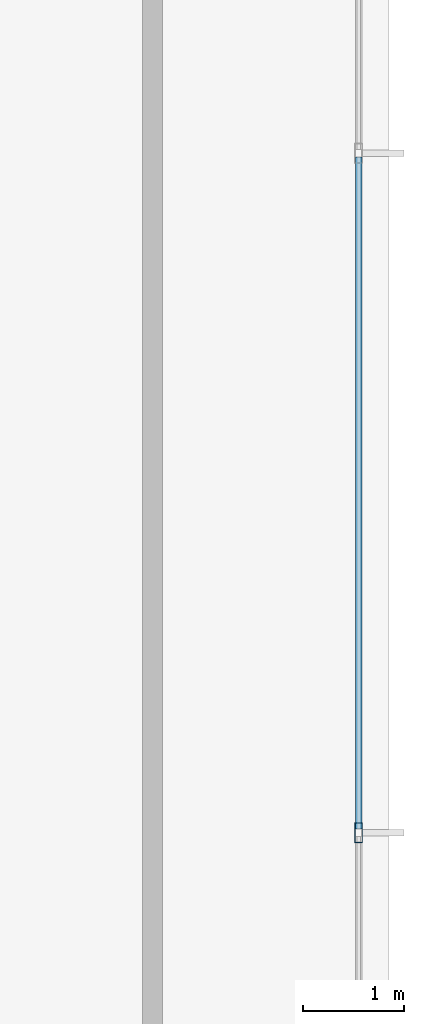
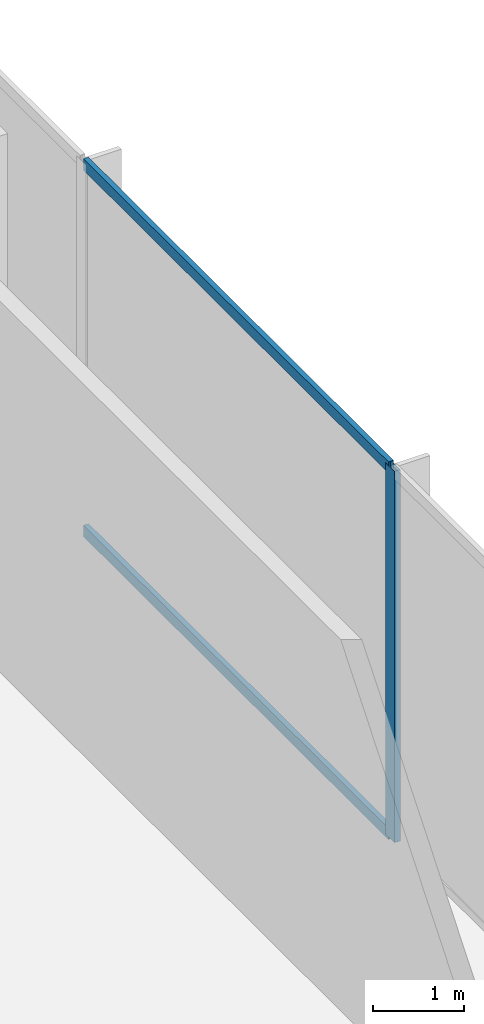
# One storey, part 21 of 43: 3 members, 1 element without a shape of its own.
"""IFC4 building model written with IfcOpenShell, lengths in metres."""

from ifc_helpers import new_model, si_unit, direction, frame, origin, origin_2d, place, context, subcontext, project, spatial, hollow_rectangle, extrude, material, layer, layer_set, material_profile, profile_set, type_object, element, aggregate, save


model = new_model("IFC4")

# Units and contexts
model_context = context("Model", 3, precision=1e-05, world=origin(), true_north=direction((0.0, 1.0)))
body_context = subcontext(model_context, "Body", "Model", "MODEL_VIEW")
ifc_project = project(units=[si_unit("LENGTHUNIT", "METRE"), si_unit("AREAUNIT", "SQUARE_METRE"), si_unit("VOLUMEUNIT", "CUBIC_METRE"), si_unit("PLANEANGLEUNIT", "RADIAN"), si_unit("MASSUNIT", "GRAM", prefix="KILO")], contexts=[model_context])

# Site, building, storey
site_placement = place(None, origin())
site = spatial("IfcSite", under=ifc_project, at=site_placement, CompositionType="ELEMENT")
building_placement = place(site_placement, origin())
building = spatial("IfcBuilding", under=site, at=building_placement, Name="Orvanel Arch Residences", CompositionType="ELEMENT")
storey_placement = place(building_placement, frame((0.0, 0.0, 18.39990234375)))
storey = spatial("IfcBuildingStorey", under=building, at=storey_placement, Name="L04", CompositionType="ELEMENT", Elevation=18.39990234375)

# Curtain wall, members
ifc_material = material(Name="Bronze-anodised aluminium AA6063-T6", Category="aluminium")
ifc_layer = layer(ifc_material, 0.199951171875)
ifc_layer_set = layer_set([ifc_layer], Name="Bronze-anodised aluminium AA6063-T6")
curtain_wall_type = type_object("IfcCurtainWallType", Name="CW1-POD-SYS", PredefinedType="NOTDEFINED", material=ifc_layer_set)
curtain_wall_placement = place(storey_placement, origin())
curtain_wall = element("IfcCurtainWall", 1, at=curtain_wall_placement, inside=storey, type_object=curtain_wall_type, Name="L04 CW1-POD-SYS Unitised Curtain Wall", PredefinedType="NOTDEFINED")
ifc_material_profile_1 = material_profile(ifc_material, hollow_rectangle(XDim=0.074951171875, YDim=0.199951171875, WallThickness=0.0048828125, at=origin_2d()), Name="ALU200x75x5")
ifc_profile_set_1 = profile_set([ifc_material_profile_1], Name="Bronze-anodised aluminium AA6063-T6")
member_type_1 = type_object("IfcMemberType", Name="MUL-200x75", PredefinedType="MULLION", material=ifc_profile_set_1)
member_1_placement = place(storey_placement, frame((64.449951171875, 27.5, 0.0), z_axis=(0.0, 0.0, 1.0), x_axis=(-1.0, 0.0, 0.0)))
member_1 = element("IfcMember", 2, at=member_1_placement, type_object=member_type_1, Name="CW-S1 mullion 5", PredefinedType="MULLION", context=body_context, shape_type="SweptSolid", body=[
    extrude(hollow_rectangle(XDim=0.074951171875, YDim=0.199951171875, WallThickness=0.0048828125, at=origin_2d()), origin(), (0.0, 0.0, 1.0), 4.960205078125),
])
ifc_material_profile_2 = material_profile(ifc_material, hollow_rectangle(XDim=0.06494140625, YDim=0.14990234375, WallThickness=0.00390625, at=origin_2d()), Name="ALU150x65x4")
ifc_profile_set_2 = profile_set([ifc_material_profile_2], Name="Bronze-anodised aluminium AA6063-T6")
member_type_2 = type_object("IfcMemberType", Name="TRN-150x65", PredefinedType="USERDEFINED", material=ifc_profile_set_2)
member_2_placement = place(storey_placement, frame((64.449951171875, 27.53759765625, 0.03271484375), z_axis=(0.0, 1.0, 0.0), x_axis=(-1.0, 0.0, 0.0)))
member_2 = element("IfcMember", 3, at=member_2_placement, type_object=member_type_2, Name="CW-S1 transom 5.1", ObjectType="TRANSOM", PredefinedType="USERDEFINED", context=body_context, shape_type="SweptSolid", body=[
    extrude(hollow_rectangle(XDim=0.06494140625, YDim=0.14990234375, WallThickness=0.00390625, at=origin_2d()), origin(), (0.0, 0.0, 1.0), 6.677490234375),
])
member_3_placement = place(storey_placement, frame((64.449951171875, 27.53759765625, 4.927490234375), z_axis=(0.0, 1.0, 0.0), x_axis=(-1.0, 0.0, 0.0)))
member_3 = element("IfcMember", 4, at=member_3_placement, type_object=member_type_2, Name="CW-S1 transom 5.2", ObjectType="TRANSOM", PredefinedType="USERDEFINED", context=body_context, shape_type="SweptSolid", body=[
    extrude(hollow_rectangle(XDim=0.06494140625, YDim=0.14990234375, WallThickness=0.00390625, at=origin_2d()), origin(), (0.0, 0.0, 1.0), 6.677490234375),
])
aggregate(curtain_wall, [member_1, member_2, member_3])

save(model, "model.ifc")
